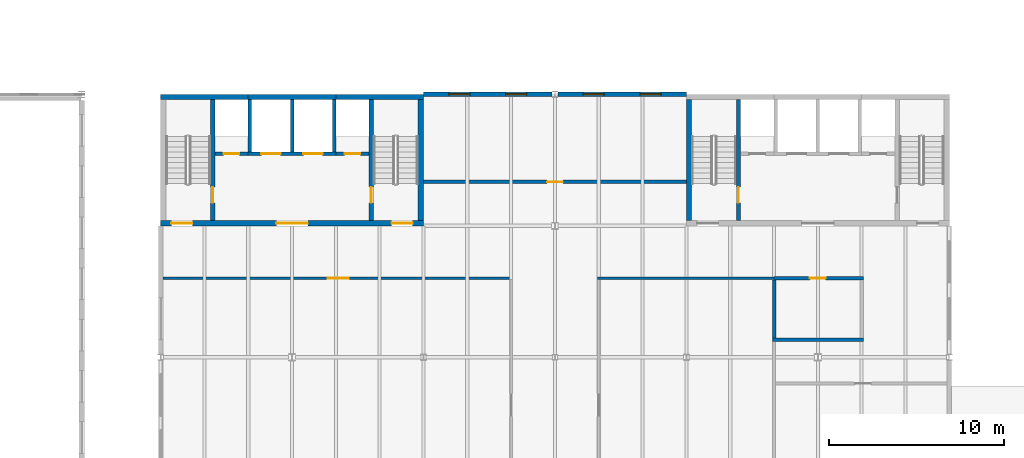
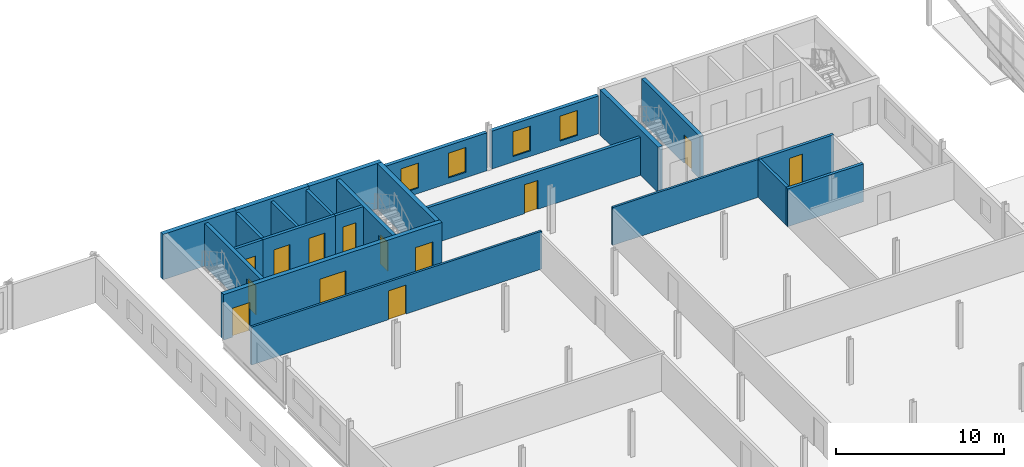
# One storey, part 54 of 199: 23 walls, 13 doors, 4 windows, 17 openings.
"""IFC4 building model written with IfcOpenShell, lengths in metres."""

import ifcopenshell
import ifcopenshell.guid

model = None  # the IFC model being written
_history = None  # IfcOwnerHistory: only IFC2X3 demands one
_inside = {}  # id of a spatial element -> (the spatial element, [elements in it])
_under = {}  # id of a project, library or spatial element -> (it, [spatial elements below it])
_declared = {}  # id of a project -> (the project, [libraries it declares])
_typed = {}  # id of a type object -> (the type object, [elements of that type])
_made_of = {}  # id of a material, layer set ... -> (it, [elements and type objects made of it])


def new_model(schema):
    """Start an empty IFC model of exactly this schema.

    Asked for "IFC4X3", IfcOpenShell would pick the latest addendum, in which some entities
    have other attributes; the version numbers below select the first issue.
    IFC2X3 requires an IfcOwnerHistory on every rooted entity: one is made here for all.
    """
    global model, _history
    if schema == "IFC4X3":
        model = ifcopenshell.file(schema_version=(4, 3, 0, 0))
    else:
        model = ifcopenshell.file(schema=schema)
    _inside.clear()
    _under.clear()
    _declared.clear()
    _typed.clear()
    _made_of.clear()
    _history = None
    if model.schema == "IFC2X3":
        org = make("IfcOrganization", Name="unknown")
        user = make(
            "IfcPersonAndOrganization",
            ThePerson=make("IfcPerson", FamilyName="unknown"),
            TheOrganization=org,
        )
        app = make(
            "IfcApplication",
            ApplicationDeveloper=org,
            Version="unknown",
            ApplicationFullName="unknown",
            ApplicationIdentifier="unknown",
        )
        _history = make(
            "IfcOwnerHistory",
            OwningUser=user,
            OwningApplication=app,
            ChangeAction="ADDED",
            CreationDate=0,
        )
    return model


def make(cls, **values):
    """One entity of the class cls with the attributes given. An attribute that is None is left unset."""
    return model.create_entity(
        cls, **{name: value for name, value in values.items() if value is not None}
    )


def rooted(cls, **values):
    """An entity with a GlobalId (a new one), such as an element, a storey or a relation."""
    return make(cls, GlobalId=ifcopenshell.guid.new(), OwnerHistory=_history, **values)


def si_unit(unit_type, name, prefix=None):
    """IfcSIUnit, for example si_unit("LENGTHUNIT", "METRE", prefix="MILLI")."""
    return make("IfcSIUnit", UnitType=unit_type, Prefix=prefix, Name=name)


def assignment(units):
    """IfcUnitAssignment: the units of a project."""
    return None if units is None else make("IfcUnitAssignment", Units=units)


def point(xyz):
    """IfcCartesianPoint."""
    return None if xyz is None else make("IfcCartesianPoint", Coordinates=xyz)


def direction(xyz):
    """IfcDirection."""
    return None if xyz is None else make("IfcDirection", DirectionRatios=xyz)


def frame(location, z_axis=None, x_axis=None):
    """IfcAxis2Placement3D, a coordinate frame: its origin and axes. An axis left out is left unset."""
    return make(
        "IfcAxis2Placement3D",
        Location=point(location),
        Axis=direction(z_axis),
        RefDirection=direction(x_axis),
    )


def frame_2d(location, x_axis=None):
    """IfcAxis2Placement2D, a coordinate frame in the plane: its origin and x axis."""
    return make(
        "IfcAxis2Placement2D", Location=point(location), RefDirection=direction(x_axis)
    )


def origin():
    """The frame at (0, 0, 0) with its axes left unset."""
    return frame((0.0, 0.0, 0.0))


def place(relative_to, where):
    """IfcLocalPlacement: puts the frame where relative to a parent placement (None: the world)."""
    return make(
        "IfcLocalPlacement", PlacementRelTo=relative_to, RelativePlacement=where
    )


def context(
    kind, dimensions, precision=None, world=None, true_north=None, identifier=None
):
    """IfcGeometricRepresentationContext, for example the 3D "Model" context."""
    return make(
        "IfcGeometricRepresentationContext",
        ContextIdentifier=identifier,
        ContextType=kind,
        CoordinateSpaceDimension=dimensions,
        Precision=precision,
        WorldCoordinateSystem=world,
        TrueNorth=true_north,
    )


def subcontext(parent, identifier, kind, view, scale=None):
    """IfcGeometricRepresentationSubContext, for example "Body" below "Model"."""
    return make(
        "IfcGeometricRepresentationSubContext",
        ContextIdentifier=identifier,
        ContextType=kind,
        ParentContext=parent,
        TargetScale=scale,
        TargetView=view,
    )


def project(units=None, contexts=None):
    """IfcProject with its units and contexts."""
    return rooted(
        "IfcProject",
        Name="project",
        RepresentationContexts=contexts,
        UnitsInContext=assignment(units),
    )


def spatial(cls, under=None, at=None, **own):
    """A site, building, storey or space (cls), placed at a placement, below another one or the project."""
    s = rooted(cls, ObjectPlacement=at, **own)
    if under is not None:
        _under.setdefault(under.id(), (under, []))[1].append(s)
    return s


def profile(cls, at=None, kind="AREA", **sizes):
    """A parametric profile (cls). Its sizes go by their IFC names, for example OverallWidth=200.0."""
    return make(cls, ProfileType=kind, Position=at, **sizes)


def rectangle(**sizes):
    """IfcRectangleProfileDef."""
    return profile("IfcRectangleProfileDef", **sizes)


def extrude(swept, where, along, depth):
    """IfcExtrudedAreaSolid: the profile swept, set in the frame where, extruded along a direction by depth."""
    return make(
        "IfcExtrudedAreaSolid",
        SweptArea=swept,
        Position=where,
        ExtrudedDirection=direction(along),
        Depth=depth,
    )


def shape(context_of_items, identifier, shape_type, items):
    """IfcShapeRepresentation: the items that make up one representation, for example the "Body"."""
    return make(
        "IfcShapeRepresentation",
        ContextOfItems=context_of_items,
        RepresentationIdentifier=identifier,
        RepresentationType=shape_type,
        Items=items,
    )


def material(Name=None, Category=None):
    """IfcMaterial."""
    return make("IfcMaterial", Name=Name, Category=Category)


def layer(
    of_material, thickness, ventilated=None, Name=None, Category=None, Priority=None
):
    """IfcMaterialLayer: one layer of a wall or slab, of a material (None: an air gap)."""
    return make(
        "IfcMaterialLayer",
        Material=of_material,
        LayerThickness=thickness,
        IsVentilated=ventilated,
        Name=Name,
        Category=Category,
        Priority=Priority,
    )


def layer_set(layers, Name=None):
    """IfcMaterialLayerSet."""
    return make("IfcMaterialLayerSet", MaterialLayers=layers, LayerSetName=Name)


def made_of(thing, what):
    """Note that an element or type object is made of a material, layer set ...; save() writes the relation."""
    if what is not None:
        _made_of.setdefault(what.id(), (what, []))[1].append(thing)
    return thing


def type_object(cls, material=None, **own):
    """A type object (cls), such as IfcWallType, which elements share."""
    return made_of(rooted(cls, **own), material)


def element(
    cls,
    number,
    at=None,
    inside=None,
    cuts=None,
    type_object=None,
    material=None,
    context=None,
    identifier="Body",
    shape_type=None,
    held_by="IfcProductDefinitionShape",
    body=None,
    shapes=None,
    **own,
):
    """One element of the class cls, such as IfcWall. Its Tag is "e" and its number.

    at: its placement. inside: the storey or other place that contains it. cuts: it is an
    opening in that element (IfcRelVoidsElement). A single representation is given by context,
    identifier, shape_type and body (its items); several are given by shapes. held_by: the class
    of the entity that holds the representations. save() writes the other relations.
    """
    e = rooted(cls, Tag="e%d" % number, ObjectPlacement=at, **own)
    if body is not None:
        shapes = [shape(context, identifier, shape_type, body)]
    if shapes is not None:
        e.Representation = make(held_by, Representations=shapes)
    if inside is not None:
        _inside.setdefault(inside.id(), (inside, []))[1].append(e)
    if cuts is not None:
        rooted(
            "IfcRelVoidsElement", RelatingBuildingElement=cuts, RelatedOpeningElement=e
        )
    if type_object is not None:
        _typed.setdefault(type_object.id(), (type_object, []))[1].append(e)
    return made_of(e, material)


def fill(opening, filler):
    """IfcRelFillsElement: the door or window that sits in an opening."""
    return rooted(
        "IfcRelFillsElement",
        RelatingOpeningElement=opening,
        RelatedBuildingElement=filler,
    )


def aggregate(whole, parts):
    """IfcRelAggregates: a whole, such as a stair, and the parts it consists of."""
    return rooted("IfcRelAggregates", RelatingObject=whole, RelatedObjects=parts)


def save(model, path):
    """Write the relations noted so far, then the file.

    IfcRelAggregates (storeys below a building ...), IfcRelContainedInSpatialStructure (elements
    in a storey), IfcRelDefinesByType, IfcRelAssociatesMaterial and IfcRelDeclares: one each for
    every whole, place, type object, material and project.
    """
    for whole, parts in _under.values():
        aggregate(whole, parts)
    for where, things in _inside.values():
        rooted(
            "IfcRelContainedInSpatialStructure",
            RelatedElements=things,
            RelatingStructure=where,
        )
    for kind, things in _typed.values():
        rooted("IfcRelDefinesByType", RelatedObjects=things, RelatingType=kind)
    for what, things in _made_of.values():
        rooted("IfcRelAssociatesMaterial", RelatedObjects=things, RelatingMaterial=what)
    for by, libraries in _declared.values():
        rooted("IfcRelDeclares", RelatingContext=by, RelatedDefinitions=libraries)
    model.write(path)


model = new_model("IFC4")

# Units and contexts
model_context = context("Model", 3, precision=1e-05, world=origin(), true_north=direction((0.0, 1.0)))
body_context = subcontext(model_context, "Body", "Model", "MODEL_VIEW")
ifc_project = project(units=[si_unit("LENGTHUNIT", "METRE"), si_unit("AREAUNIT", "SQUARE_METRE"), si_unit("VOLUMEUNIT", "CUBIC_METRE"), si_unit("PLANEANGLEUNIT", "RADIAN"), si_unit("MASSUNIT", "GRAM", prefix="KILO")], contexts=[model_context])

# Site, building, storey
site_placement = place(None, origin())
site = spatial("IfcSite", under=ifc_project, at=site_placement, CompositionType="ELEMENT")
building_placement = place(site_placement, origin())
building = spatial("IfcBuilding", under=site, at=building_placement, Name="Parallax Yard Mobility Hub", CompositionType="ELEMENT")
storey_placement = place(building_placement, frame((0.0, 0.0, 9.89990234375)))
storey = spatial("IfcBuildingStorey", under=building, at=storey_placement, Name="L03", CompositionType="ELEMENT", Elevation=9.89990234375)

# Wall, openings, doors
ifc_material_1 = material(Name="Concrete fc' 35 MPa", Category="concrete")
ifc_layer_1 = layer(ifc_material_1, 0.300048828125)
ifc_layer_set_1 = layer_set([ifc_layer_1], Name="Concrete fc' 35 MPa core wall 300")
wall_type_1 = type_object("IfcWallType", Name="Concrete fc' 35 MPa core wall 300", PredefinedType="SHEAR", material=ifc_layer_set_1)
wall_1_placement = place(storey_placement, frame((112.5, 45.14990234375, 0.0), z_axis=(0.0, 0.0, 1.0), x_axis=(-1.0, 0.0, 0.0)))
wall_1 = element("IfcWall", 1, at=wall_1_placement, inside=storey, type_object=wall_type_1, Name="Core C6-W entry wall level L03", PredefinedType="SHEAR", context=body_context, shape_type="SweptSolid", body=[
    extrude(rectangle(XDim=15.0, YDim=0.300048828125, at=frame_2d((7.5, 0.0))), origin(), (0.0, 0.0, 1.0), 3.300048828125),
])
opening_1_placement = place(wall_1_placement, frame((13.179931640625, 0.0, 0.0)))
opening_1 = element("IfcOpeningElement", 2, at=opening_1_placement, cuts=wall_1, Name="Opening L03-D733", PredefinedType="OPENING", context=body_context, shape_type="SweptSolid", body=[
    extrude(rectangle(XDim=1.199951171875, YDim=2.10009765625, at=frame_2d((0.60009765625, 1.050048828125))), frame((0.0, 0.16015625, 0.0), z_axis=(0.0, -1.0, 0.0), x_axis=(1.0, 0.0, 0.0)), (0.0, 0.0, 1.0), 0.320068359375),
])
opening_2_placement = place(wall_1_placement, frame((0.6201171875, 0.0, 0.0)))
opening_2 = element("IfcOpeningElement", 3, at=opening_2_placement, cuts=wall_1, Name="Opening L03-D734", PredefinedType="OPENING", context=body_context, shape_type="SweptSolid", body=[
    extrude(rectangle(XDim=1.199951171875, YDim=2.10009765625, at=frame_2d((0.60009765625, 1.050048828125))), frame((0.0, 0.16015625, 0.0), z_axis=(0.0, -1.0, 0.0), x_axis=(1.0, 0.0, 0.0)), (0.0, 0.0, 1.0), 0.320068359375),
])
opening_3_placement = place(wall_1_placement, frame((6.60009765625, 0.0, 0.0)))
opening_3 = element("IfcOpeningElement", 4, at=opening_3_placement, cuts=wall_1, Name="Opening L03-D735", PredefinedType="OPENING", context=body_context, shape_type="SweptSolid", body=[
    extrude(rectangle(XDim=1.800048828125, YDim=2.10009765625, at=frame_2d((0.89990234375, 1.050048828125))), frame((0.0, 0.16015625, 0.0), z_axis=(0.0, -1.0, 0.0), x_axis=(1.0, 0.0, 0.0)), (0.0, 0.0, 1.0), 0.320068359375),
])
ifc_material_2 = material(Name="Hollow metal steel door and frame", Category="steel")
door_type_1 = type_object("IfcDoorType", Name="Core door 1200 x 2100 FD90", OperationType="NOTDEFINED", PredefinedType="DOOR", material=ifc_material_2)
door_1_placement = place(opening_1_placement, origin())
door_1 = element("IfcDoor", 5, at=door_1_placement, inside=storey, type_object=door_type_1, Name="Stair deck door L03-D733, core C6-W level L03", OperationType="SINGLE_SWING_RIGHT", OverallHeight=2.10009765625, OverallWidth=1.199951171875, PredefinedType="DOOR", context=body_context, shape_type="SweptSolid", body=[
    extrude(rectangle(XDim=1.199951171875, YDim=2.10009765625, at=frame_2d((0.60009765625, 1.050048828125))), frame((0.0, 0.02490234375, 0.0), z_axis=(0.0, -1.0, 0.0), x_axis=(1.0, 0.0, 0.0)), (0.0, 0.0, 1.0), 0.050048828125),
])
fill(opening_1, door_1)
door_2_placement = place(opening_2_placement, origin())
door_2 = element("IfcDoor", 6, at=door_2_placement, inside=storey, type_object=door_type_1, Name="Stair deck door L03-D734, core C6-W level L03", OperationType="SINGLE_SWING_LEFT", OverallHeight=2.10009765625, OverallWidth=1.199951171875, PredefinedType="DOOR", context=body_context, shape_type="SweptSolid", body=[
    extrude(rectangle(XDim=1.199951171875, YDim=2.10009765625, at=frame_2d((0.60009765625, 1.050048828125))), frame((0.0, 0.02490234375, 0.0), z_axis=(0.0, -1.0, 0.0), x_axis=(1.0, 0.0, 0.0)), (0.0, 0.0, 1.0), 0.050048828125),
])
fill(opening_2, door_2)
door_type_2 = type_object("IfcDoorType", Name="Core double door 1800 x 2100 FD90", OperationType="NOTDEFINED", PredefinedType="DOOR", material=ifc_material_2)
door_3_placement = place(opening_3_placement, origin())
door_3 = element("IfcDoor", 7, at=door_3_placement, inside=storey, type_object=door_type_2, Name="Lift lobby door L03-D735, core C6-W level L03", OperationType="DOUBLE_DOOR_SINGLE_SWING", OverallHeight=2.10009765625, OverallWidth=1.800048828125, PredefinedType="DOOR", context=body_context, shape_type="SweptSolid", body=[
    extrude(rectangle(XDim=1.800048828125, YDim=2.10009765625, at=frame_2d((0.89990234375, 1.050048828125))), frame((0.0, 0.02490234375, 0.0), z_axis=(0.0, -1.0, 0.0), x_axis=(1.0, 0.0, 0.0)), (0.0, 0.0, 1.0), 0.050048828125),
])
fill(opening_3, door_3)

# Walls
for number, where, z_axis, x_axis, name in (
    (8, (97.5, 52.35009765625, 0.0), (0.0, 0.0, 1.0), (1.0, 0.0, 0.0), "Core C6-W back wall part 1 level L03"),
    (9, (102.5, 52.35009765625, 0.0), (0.0, 0.0, 1.0), (1.0, 0.0, 0.0), "Core C6-W back wall part 2 level L03"),
    (10, (107.5, 52.35009765625, 0.0), (0.0, 0.0, 1.0), (1.0, 0.0, 0.0), "Core C6-W back wall part 3 level L03"),
):
    element("IfcWall", number, at=place(storey_placement, frame(where, z_axis=z_axis, x_axis=x_axis)), inside=storey, type_object=wall_type_1, Name=name, PredefinedType="SHEAR", context=body_context, shape_type="SweptSolid", body=[
        extrude(rectangle(XDim=5.0, YDim=0.300048828125, at=frame_2d((2.5, 0.0))), origin(), (0.0, 0.0, 1.0), 3.300048828125),
    ])
for number, where, z_axis, x_axis, name in (
    (11, (112.35009765625, 52.199951171875, 0.0), (0.0, 0.0, 1.0), (0.0, -1.0, 0.0), "Core C6-W east-side end wall level L03"),
    (12, (127.64990234375, 45.300048828125, 0.0), (0.0, 0.0, 1.0), (0.0, 1.0, 0.0), "Core C6-E west-side end wall level L03"),
):
    element("IfcWall", number, at=place(storey_placement, frame(where, z_axis=z_axis, x_axis=x_axis)), inside=storey, type_object=wall_type_1, Name=name, PredefinedType="SHEAR", context=body_context, shape_type="SweptSolid", body=[
        extrude(rectangle(XDim=6.89990234375, YDim=0.300048828125, at=frame_2d((3.449951171875, 0.0))), origin(), (0.0, 0.0, 1.0), 3.300048828125),
    ])

# Wall, opening, door
ifc_layer_2 = layer(ifc_material_1, 0.199951171875)
ifc_layer_set_2 = layer_set([ifc_layer_2], Name="Concrete fc' 35 MPa internal core wall 200")
wall_type_2 = type_object("IfcWallType", Name="Concrete fc' 35 MPa internal core wall 200", PredefinedType="STANDARD", material=ifc_layer_set_2)
wall_2_placement = place(storey_placement, frame((102.5, 49.10009765625, 0.0), z_axis=(0.0, 0.0, 1.0), x_axis=(-1.0, 0.0, 0.0)))
wall_2 = element("IfcWall", 13, at=wall_2_placement, inside=storey, type_object=wall_type_2, Name="Core C6-W lift front 1 part 1 level L03", PredefinedType="STANDARD", context=body_context, shape_type="SweptSolid", body=[
    extrude(rectangle(XDim=1.89990234375, YDim=0.199951171875, at=frame_2d((0.949951171875, 0.0))), origin(), (0.0, 0.0, 1.0), 3.10009765625),
])
opening_4_placement = place(wall_2_placement, frame((0.5, 0.0, 0.0)))
opening_4 = element("IfcOpeningElement", 14, at=opening_4_placement, cuts=wall_2, Name="Opening L03-D740", PredefinedType="OPENING", context=body_context, shape_type="SweptSolid", body=[
    extrude(rectangle(XDim=0.89990234375, YDim=2.10009765625, at=frame_2d((0.449951171875, 1.050048828125))), frame((0.0, 0.10986328125, 0.0), z_axis=(0.0, -1.0, 0.0), x_axis=(1.0, 0.0, 0.0)), (0.0, 0.0, 1.0), 0.219970703125),
])
door_type_3 = type_object("IfcDoorType", Name="Riser door 900 x 2100 FD90", OperationType="NOTDEFINED", PredefinedType="DOOR", material=ifc_material_2)
door_4_placement = place(opening_4_placement, origin())
door_4 = element("IfcDoor", 15, at=door_4_placement, inside=storey, type_object=door_type_3, Name="Riser door L03-D740, core C6-W level L03", OperationType="SINGLE_SWING_RIGHT", OverallHeight=2.10009765625, OverallWidth=0.89990234375, PredefinedType="DOOR", context=body_context, shape_type="SweptSolid", body=[
    extrude(rectangle(XDim=0.89990234375, YDim=2.10009765625, at=frame_2d((0.449951171875, 1.050048828125))), frame((0.0, 0.02490234375, 0.0), z_axis=(0.0, -1.0, 0.0), x_axis=(1.0, 0.0, 0.0)), (0.0, 0.0, 1.0), 0.050048828125),
])
fill(opening_4, door_4)

# Wall, openings, doors
wall_3_placement = place(storey_placement, frame((102.5, 49.10009765625, 0.0), z_axis=(0.0, 0.0, 1.0), x_axis=(1.0, 0.0, 0.0)))
wall_3 = element("IfcWall", 16, at=wall_3_placement, inside=storey, type_object=wall_type_2, Name="Core C6-W lift front 2 part 2 level L03", PredefinedType="STANDARD", context=body_context, shape_type="SweptSolid", body=[
    extrude(rectangle(XDim=5.0, YDim=0.199951171875, at=frame_2d((2.5, 0.0))), origin(), (0.0, 0.0, 1.0), 3.10009765625),
])
opening_5_placement = place(wall_3_placement, frame((0.75, 0.0, 0.0)))
opening_5 = element("IfcOpeningElement", 17, at=opening_5_placement, cuts=wall_3, Name="Opening L03-D738", PredefinedType="OPENING", context=body_context, shape_type="SweptSolid", body=[
    extrude(rectangle(XDim=1.10009765625, YDim=2.10009765625, at=frame_2d((0.550048828125, 1.050048828125))), frame((0.0, 0.10986328125, 0.0), z_axis=(0.0, -1.0, 0.0), x_axis=(1.0, 0.0, 0.0)), (0.0, 0.0, 1.0), 0.219970703125),
])
opening_6_placement = place(wall_3_placement, frame((3.14990234375, 0.0, 0.0)))
opening_6 = element("IfcOpeningElement", 18, at=opening_6_placement, cuts=wall_3, Name="Opening L03-D739", PredefinedType="OPENING", context=body_context, shape_type="SweptSolid", body=[
    extrude(rectangle(XDim=1.10009765625, YDim=2.10009765625, at=frame_2d((0.550048828125, 1.050048828125))), frame((0.0, 0.10986328125, 0.0), z_axis=(0.0, -1.0, 0.0), x_axis=(1.0, 0.0, 0.0)), (0.0, 0.0, 1.0), 0.219970703125),
])
ifc_material_3 = material(Name="Stainless steel sliding door and frame", Category="steel")
door_type_4 = type_object("IfcDoorType", Name="Lift landing door 1100 x 2100 FD90", OperationType="DOUBLE_DOOR_SLIDING", PredefinedType="DOOR", material=ifc_material_3)
door_5_placement = place(opening_5_placement, origin())
door_5 = element("IfcDoor", 19, at=door_5_placement, inside=storey, type_object=door_type_4, Name="Lift landing door L03-D738, core C6-W level L03", OperationType="DOUBLE_DOOR_SLIDING", OverallHeight=2.10009765625, OverallWidth=1.10009765625, PredefinedType="DOOR", context=body_context, shape_type="SweptSolid", body=[
    extrude(rectangle(XDim=1.10009765625, YDim=2.10009765625, at=frame_2d((0.550048828125, 1.050048828125))), frame((0.0, 0.02490234375, 0.0), z_axis=(0.0, -1.0, 0.0), x_axis=(1.0, 0.0, 0.0)), (0.0, 0.0, 1.0), 0.050048828125),
])
fill(opening_5, door_5)
door_6_placement = place(opening_6_placement, origin())
door_6 = element("IfcDoor", 20, at=door_6_placement, inside=storey, type_object=door_type_4, Name="Lift landing door L03-D739, core C6-W level L03", OperationType="DOUBLE_DOOR_SLIDING", OverallHeight=2.10009765625, OverallWidth=1.10009765625, PredefinedType="DOOR", context=body_context, shape_type="SweptSolid", body=[
    extrude(rectangle(XDim=1.10009765625, YDim=2.10009765625, at=frame_2d((0.550048828125, 1.050048828125))), frame((0.0, 0.02490234375, 0.0), z_axis=(0.0, -1.0, 0.0), x_axis=(1.0, 0.0, 0.0)), (0.0, 0.0, 1.0), 0.050048828125),
])
fill(opening_6, door_6)

# Wall, opening, door
wall_4_placement = place(storey_placement, frame((109.39990234375, 49.10009765625, 0.0), z_axis=(0.0, 0.0, 1.0), x_axis=(-1.0, 0.0, 0.0)))
wall_4 = element("IfcWall", 21, at=wall_4_placement, inside=storey, type_object=wall_type_2, Name="Core C6-W lift front 3 part 3 level L03", PredefinedType="STANDARD", context=body_context, shape_type="SweptSolid", body=[
    extrude(rectangle(XDim=1.89990234375, YDim=0.199951171875, at=frame_2d((0.949951171875, 0.0))), origin(), (0.0, 0.0, 1.0), 3.10009765625),
])
opening_7_placement = place(wall_4_placement, frame((0.5, 0.0, 0.0)))
opening_7 = element("IfcOpeningElement", 22, at=opening_7_placement, cuts=wall_4, Name="Opening L03-D741", PredefinedType="OPENING", context=body_context, shape_type="SweptSolid", body=[
    extrude(rectangle(XDim=0.89990234375, YDim=2.10009765625, at=frame_2d((0.449951171875, 1.050048828125))), frame((0.0, 0.10986328125, 0.0), z_axis=(0.0, -1.0, 0.0), x_axis=(1.0, 0.0, 0.0)), (0.0, 0.0, 1.0), 0.219970703125),
])
door_7_placement = place(opening_7_placement, origin())
door_7 = element("IfcDoor", 23, at=door_7_placement, inside=storey, type_object=door_type_3, Name="Riser door L03-D741, core C6-W level L03", OperationType="SINGLE_SWING_LEFT", OverallHeight=2.10009765625, OverallWidth=0.89990234375, PredefinedType="DOOR", context=body_context, shape_type="SweptSolid", body=[
    extrude(rectangle(XDim=0.89990234375, YDim=2.10009765625, at=frame_2d((0.449951171875, 1.050048828125))), frame((0.0, 0.02490234375, 0.0), z_axis=(0.0, -1.0, 0.0), x_axis=(1.0, 0.0, 0.0)), (0.0, 0.0, 1.0), 0.050048828125),
])
fill(opening_7, door_7)

# Walls
for number, where, z_axis, x_axis, name in (
    (24, (102.60009765625, 49.199951171875, 0.0), (0.0, 0.0, 1.0), (0.0, 1.0, 0.0), "Core C6-W lift wall 1 part 1 level L03"),
    (25, (105.0, 49.199951171875, 0.0), (0.0, 0.0, 1.0), (0.0, 1.0, 0.0), "Core C6-W lift wall 2 part 2 level L03"),
    (26, (107.39990234375, 49.199951171875, 0.0), (0.0, 0.0, 1.0), (0.0, 1.0, 0.0), "Core C6-W lift wall 3 part 3 level L03"),
):
    element("IfcWall", number, at=place(storey_placement, frame(where, z_axis=z_axis, x_axis=x_axis)), inside=storey, type_object=wall_type_2, Name=name, PredefinedType="STANDARD", context=body_context, shape_type="SweptSolid", body=[
        extrude(rectangle(XDim=3.0, YDim=0.199951171875, at=frame_2d((1.5, 0.0))), origin(), (0.0, 0.0, 1.0), 3.10009765625),
    ])

# Wall, opening, door
ifc_layer_3 = layer(ifc_material_1, 0.25)
ifc_layer_set_3 = layer_set([ifc_layer_3], Name="Concrete fc' 35 MPa stair enclosure wall 250")
wall_type_3 = type_object("IfcWallType", Name="Concrete fc' 35 MPa stair enclosure wall 250", PredefinedType="STANDARD", material=ifc_layer_set_3)
wall_5_placement = place(storey_placement, frame((100.47509765625, 45.300048828125, 0.0), z_axis=(0.0, 0.0, 1.0), x_axis=(0.0, 1.0, 0.0)))
wall_5 = element("IfcWall", 27, at=wall_5_placement, inside=storey, type_object=wall_type_3, Name="Core C6-W stair 1 partition level L03", PredefinedType="STANDARD", context=body_context, shape_type="SweptSolid", body=[
    extrude(rectangle(XDim=6.89990234375, YDim=0.25, at=frame_2d((3.449951171875, 0.0))), origin(), (0.0, 0.0, 1.0), 3.10009765625),
])
opening_8_placement = place(wall_5_placement, frame((1.0, 0.0, 0.0)))
opening_8 = element("IfcOpeningElement", 28, at=opening_8_placement, cuts=wall_5, Name="Opening L03-D736", PredefinedType="OPENING", context=body_context, shape_type="SweptSolid", body=[
    extrude(rectangle(XDim=0.89990234375, YDim=2.10009765625, at=frame_2d((0.449951171875, 1.050048828125))), frame((0.0, 0.135009765625, 0.0), z_axis=(0.0, -1.0, 0.0), x_axis=(1.0, 0.0, 0.0)), (0.0, 0.0, 1.0), 0.27001953125),
])
door_type_5 = type_object("IfcDoorType", Name="Core door 900 x 2100 FD90", OperationType="NOTDEFINED", PredefinedType="DOOR", material=ifc_material_2)
door_8_placement = place(opening_8_placement, origin())
door_8 = element("IfcDoor", 29, at=door_8_placement, inside=storey, type_object=door_type_5, Name="Stair lobby door L03-D736, core C6-W level L03", OperationType="SINGLE_SWING_LEFT", OverallHeight=2.10009765625, OverallWidth=0.89990234375, PredefinedType="DOOR", context=body_context, shape_type="SweptSolid", body=[
    extrude(rectangle(XDim=0.89990234375, YDim=2.10009765625, at=frame_2d((0.449951171875, 1.050048828125))), frame((0.0, 0.02490234375, 0.0), z_axis=(0.0, -1.0, 0.0), x_axis=(1.0, 0.0, 0.0)), (0.0, 0.0, 1.0), 0.050048828125),
])
fill(opening_8, door_8)

wall_6_placement = place(storey_placement, frame((109.52490234375, 52.199951171875, 0.0), z_axis=(0.0, 0.0, 1.0), x_axis=(0.0, -1.0, 0.0)))
wall_6 = element("IfcWall", 30, at=wall_6_placement, inside=storey, type_object=wall_type_3, Name="Core C6-W stair 2 partition level L03", PredefinedType="STANDARD", context=body_context, shape_type="SweptSolid", body=[
    extrude(rectangle(XDim=6.89990234375, YDim=0.25, at=frame_2d((3.449951171875, 0.0))), origin(), (0.0, 0.0, 1.0), 3.10009765625),
])
opening_9_placement = place(wall_6_placement, frame((5.0, 0.0, 0.0)))
opening_9 = element("IfcOpeningElement", 31, at=opening_9_placement, cuts=wall_6, Name="Opening L03-D737", PredefinedType="OPENING", context=body_context, shape_type="SweptSolid", body=[
    extrude(rectangle(XDim=0.89990234375, YDim=2.10009765625, at=frame_2d((0.449951171875, 1.050048828125))), frame((0.0, 0.135009765625, 0.0), z_axis=(0.0, -1.0, 0.0), x_axis=(1.0, 0.0, 0.0)), (0.0, 0.0, 1.0), 0.27001953125),
])
door_9_placement = place(opening_9_placement, origin())
door_9 = element("IfcDoor", 32, at=door_9_placement, inside=storey, type_object=door_type_5, Name="Stair lobby door L03-D737, core C6-W level L03", OperationType="SINGLE_SWING_RIGHT", OverallHeight=2.10009765625, OverallWidth=0.89990234375, PredefinedType="DOOR", context=body_context, shape_type="SweptSolid", body=[
    extrude(rectangle(XDim=0.89990234375, YDim=2.10009765625, at=frame_2d((0.449951171875, 1.050048828125))), frame((0.0, 0.02490234375, 0.0), z_axis=(0.0, -1.0, 0.0), x_axis=(1.0, 0.0, 0.0)), (0.0, 0.0, 1.0), 0.050048828125),
])
fill(opening_9, door_9)

wall_7_placement = place(storey_placement, frame((130.47509765625, 45.300048828125, 0.0), z_axis=(0.0, 0.0, 1.0), x_axis=(0.0, 1.0, 0.0)))
wall_7 = element("IfcWall", 33, at=wall_7_placement, inside=storey, type_object=wall_type_3, Name="Core C6-E stair 1 partition level L03", PredefinedType="STANDARD", context=body_context, shape_type="SweptSolid", body=[
    extrude(rectangle(XDim=6.89990234375, YDim=0.25, at=frame_2d((3.449951171875, 0.0))), origin(), (0.0, 0.0, 1.0), 3.10009765625),
])
opening_10_placement = place(wall_7_placement, frame((1.0, 0.0, 0.0)))
opening_10 = element("IfcOpeningElement", 34, at=opening_10_placement, cuts=wall_7, Name="Opening L03-D745", PredefinedType="OPENING", context=body_context, shape_type="SweptSolid", body=[
    extrude(rectangle(XDim=0.89990234375, YDim=2.10009765625, at=frame_2d((0.449951171875, 1.050048828125))), frame((0.0, 0.135009765625, 0.0), z_axis=(0.0, -1.0, 0.0), x_axis=(1.0, 0.0, 0.0)), (0.0, 0.0, 1.0), 0.27001953125),
])
door_10_placement = place(opening_10_placement, origin())
door_10 = element("IfcDoor", 35, at=door_10_placement, inside=storey, type_object=door_type_5, Name="Stair lobby door L03-D745, core C6-E level L03", OperationType="SINGLE_SWING_LEFT", OverallHeight=2.10009765625, OverallWidth=0.89990234375, PredefinedType="DOOR", context=body_context, shape_type="SweptSolid", body=[
    extrude(rectangle(XDim=0.89990234375, YDim=2.10009765625, at=frame_2d((0.449951171875, 1.050048828125))), frame((0.0, 0.02490234375, 0.0), z_axis=(0.0, -1.0, 0.0), x_axis=(1.0, 0.0, 0.0)), (0.0, 0.0, 1.0), 0.050048828125),
])
fill(opening_10, door_10)

# Wall, openings, windows
ifc_layer_4 = layer(ifc_material_1, 0.25)
ifc_layer_set_4 = layer_set([ifc_layer_4], Name="Exterior wall, Concrete fc' 35 MPa precast, 250 with insulation lining")
wall_type_4 = type_object("IfcWallType", Name="Exterior wall, Concrete fc' 35 MPa precast, 250 with insulation lining", PredefinedType="SOLIDWALL", material=ifc_layer_set_4)
wall_8_placement = place(storey_placement, frame((112.5, 52.5, 0.0), z_axis=(0.0, 0.0, 1.0), x_axis=(1.0, 0.0, 0.0)))
wall_8 = element("IfcWall", 36, at=wall_8_placement, inside=storey, type_object=wall_type_4, Name="Mobility service centre and workshops north wall bay 1 level L03", PredefinedType="SOLIDWALL", context=body_context, shape_type="SweptSolid", body=[
    extrude(rectangle(XDim=7.3359375, YDim=0.25, at=frame_2d((3.66796875, 0.0))), origin(), (0.0, 0.0, 1.0), 2.7509765625),
])
opening_11_placement = place(wall_8_placement, frame((1.4453125, 0.0, 0.39990234375)))
opening_11 = element("IfcOpeningElement", 37, at=opening_11_placement, cuts=wall_8, Name="Opening LV7", PredefinedType="OPENING", context=body_context, shape_type="SweptSolid", body=[
    extrude(rectangle(XDim=1.199951171875, YDim=1.800048828125, at=frame_2d((0.60009765625, 0.89990234375))), frame((0.0, 0.135009765625, 0.0), z_axis=(0.0, -1.0, 0.0), x_axis=(1.0, 0.0, 0.0)), (0.0, 0.0, 1.0), 0.27001953125),
])
opening_12_placement = place(wall_8_placement, frame((4.690673828125, 0.0, 0.39990234375)))
opening_12 = element("IfcOpeningElement", 38, at=opening_12_placement, cuts=wall_8, Name="Opening LV7", PredefinedType="OPENING", context=body_context, shape_type="SweptSolid", body=[
    extrude(rectangle(XDim=1.199951171875, YDim=1.800048828125, at=frame_2d((0.60009765625, 0.89990234375))), frame((0.0, 0.135009765625, 0.0), z_axis=(0.0, -1.0, 0.0), x_axis=(1.0, 0.0, 0.0)), (0.0, 0.0, 1.0), 0.27001953125),
])
ifc_material_4 = material(Name="Extruded aluminium storm louvre blades in a powder-coated frame", Category="aluminium")
window_type = type_object("IfcWindowType", Name="Store louvre 1200 x 1800", PartitioningType="SINGLE_PANEL", PredefinedType="WINDOW", material=ifc_material_4)
window_1_placement = place(opening_11_placement, origin())
window_1 = element("IfcWindow", 39, at=window_1_placement, inside=storey, type_object=window_type, Name="LV7 louvre level L03", OverallHeight=1.800048828125, OverallWidth=1.199951171875, PartitioningType="SINGLE_PANEL", PredefinedType="WINDOW", context=body_context, shape_type="SweptSolid", body=[
    extrude(rectangle(XDim=1.199951171875, YDim=1.800048828125, at=frame_2d((0.60009765625, 0.89990234375))), frame((0.0, 0.030029296875, 0.0), z_axis=(0.0, -1.0, 0.0), x_axis=(1.0, 0.0, 0.0)), (0.0, 0.0, 1.0), 0.06005859375),
])
fill(opening_11, window_1)
window_2_placement = place(opening_12_placement, origin())
window_2 = element("IfcWindow", 40, at=window_2_placement, inside=storey, type_object=window_type, Name="LV7 louvre level L03", OverallHeight=1.800048828125, OverallWidth=1.199951171875, PartitioningType="SINGLE_PANEL", PredefinedType="WINDOW", context=body_context, shape_type="SweptSolid", body=[
    extrude(rectangle(XDim=1.199951171875, YDim=1.800048828125, at=frame_2d((0.60009765625, 0.89990234375))), frame((0.0, 0.030029296875, 0.0), z_axis=(0.0, -1.0, 0.0), x_axis=(1.0, 0.0, 0.0)), (0.0, 0.0, 1.0), 0.06005859375),
])
fill(opening_12, window_2)

wall_9_placement = place(storey_placement, frame((120.1640625, 52.5, 0.0), z_axis=(0.0, 0.0, 1.0), x_axis=(1.0, 0.0, 0.0)))
wall_9 = element("IfcWall", 41, at=wall_9_placement, inside=storey, type_object=wall_type_4, Name="Mobility service centre and workshops north wall bay 2 level L03", PredefinedType="SOLIDWALL", context=body_context, shape_type="SweptSolid", body=[
    extrude(rectangle(XDim=7.3359375, YDim=0.25, at=frame_2d((3.66796875, 0.0))), origin(), (0.0, 0.0, 1.0), 2.7509765625),
])
opening_13_placement = place(wall_9_placement, frame((1.4453125, 0.0, 0.39990234375)))
opening_13 = element("IfcOpeningElement", 42, at=opening_13_placement, cuts=wall_9, Name="Opening LV7", PredefinedType="OPENING", context=body_context, shape_type="SweptSolid", body=[
    extrude(rectangle(XDim=1.199951171875, YDim=1.800048828125, at=frame_2d((0.60009765625, 0.89990234375))), frame((0.0, 0.135009765625, 0.0), z_axis=(0.0, -1.0, 0.0), x_axis=(1.0, 0.0, 0.0)), (0.0, 0.0, 1.0), 0.27001953125),
])
opening_14_placement = place(wall_9_placement, frame((4.690673828125, 0.0, 0.39990234375)))
opening_14 = element("IfcOpeningElement", 43, at=opening_14_placement, cuts=wall_9, Name="Opening LV7", PredefinedType="OPENING", context=body_context, shape_type="SweptSolid", body=[
    extrude(rectangle(XDim=1.199951171875, YDim=1.800048828125, at=frame_2d((0.60009765625, 0.89990234375))), frame((0.0, 0.135009765625, 0.0), z_axis=(0.0, -1.0, 0.0), x_axis=(1.0, 0.0, 0.0)), (0.0, 0.0, 1.0), 0.27001953125),
])
window_3_placement = place(opening_13_placement, origin())
window_3 = element("IfcWindow", 44, at=window_3_placement, inside=storey, type_object=window_type, Name="LV7 louvre level L03", OverallHeight=1.800048828125, OverallWidth=1.199951171875, PartitioningType="SINGLE_PANEL", PredefinedType="WINDOW", context=body_context, shape_type="SweptSolid", body=[
    extrude(rectangle(XDim=1.199951171875, YDim=1.800048828125, at=frame_2d((0.60009765625, 0.89990234375))), frame((0.0, 0.030029296875, 0.0), z_axis=(0.0, -1.0, 0.0), x_axis=(1.0, 0.0, 0.0)), (0.0, 0.0, 1.0), 0.06005859375),
])
fill(opening_13, window_3)
window_4_placement = place(opening_14_placement, origin())
window_4 = element("IfcWindow", 45, at=window_4_placement, inside=storey, type_object=window_type, Name="LV7 louvre level L03", OverallHeight=1.800048828125, OverallWidth=1.199951171875, PartitioningType="SINGLE_PANEL", PredefinedType="WINDOW", context=body_context, shape_type="SweptSolid", body=[
    extrude(rectangle(XDim=1.199951171875, YDim=1.800048828125, at=frame_2d((0.60009765625, 0.89990234375))), frame((0.0, 0.030029296875, 0.0), z_axis=(0.0, -1.0, 0.0), x_axis=(1.0, 0.0, 0.0)), (0.0, 0.0, 1.0), 0.06005859375),
])
fill(opening_14, window_4)

# Wall
ifc_material_5 = material(Name="Fire-rated plasterboard partition, two layers each side")
ifc_layer_5 = layer(ifc_material_5, 0.199951171875)
ifc_layer_set_5 = layer_set([ifc_layer_5], Name="Fire-rated partition 200 mm")
wall_type_5 = type_object("IfcWallType", Name="Fire-rated partition 200 mm", PredefinedType="PARTITIONING", material=ifc_layer_set_5)
wall_10_placement = place(storey_placement, frame((132.39990234375, 38.5, 0.0), z_axis=(0.0, 0.0, 1.0), x_axis=(1.0, 0.0, 0.0)))
element("IfcWall", 46, at=wall_10_placement, inside=storey, type_object=wall_type_5, Name="Partition 5 level L03", PredefinedType="PARTITIONING", context=body_context, shape_type="SweptSolid", body=[
    extrude(rectangle(XDim=5.2001953125, YDim=0.199951171875, at=frame_2d((2.60009765625, 0.0))), origin(), (0.0, 0.0, 1.0), 2.7509765625),
])

# Wall, opening, door
wall_11_placement = place(storey_placement, frame((132.5, 42.0, 0.0), z_axis=(0.0, 0.0, 1.0), x_axis=(1.0, 0.0, 0.0)))
wall_11 = element("IfcWall", 47, at=wall_11_placement, inside=storey, type_object=wall_type_5, Name="Partition 9 level L03", PredefinedType="PARTITIONING", context=body_context, shape_type="SweptSolid", body=[
    extrude(rectangle(XDim=5.10009765625, YDim=0.199951171875, at=frame_2d((2.550048828125, 0.0))), origin(), (0.0, 0.0, 1.0), 2.7509765625),
])
opening_15_placement = place(wall_11_placement, frame((2.050048828125, 0.0, 0.0)))
opening_15 = element("IfcOpeningElement", 48, at=opening_15_placement, cuts=wall_11, Name="Opening L03-D207", PredefinedType="OPENING", context=body_context, shape_type="SweptSolid", body=[
    extrude(rectangle(XDim=0.89990234375, YDim=2.10009765625, at=frame_2d((0.449951171875, 1.050048828125))), frame((0.0, 0.10986328125, 0.0), z_axis=(0.0, -1.0, 0.0), x_axis=(1.0, 0.0, 0.0)), (0.0, 0.0, 1.0), 0.219970703125),
])
ifc_material_6 = material(Name="Hollow metal fire door leaf with intumescent seals")
door_type_6 = type_object("IfcDoorType", Name="Fire door 900 mm FD60", OperationType="NOTDEFINED", PredefinedType="DOOR", material=ifc_material_6)
door_11_placement = place(opening_15_placement, origin())
door_11 = element("IfcDoor", 49, at=door_11_placement, inside=storey, type_object=door_type_6, Name="Door L03-D207 Staff WC", OperationType="SINGLE_SWING_LEFT", OverallHeight=2.10009765625, OverallWidth=0.89990234375, PredefinedType="DOOR", context=body_context, shape_type="SweptSolid", body=[
    extrude(rectangle(XDim=0.89990234375, YDim=2.10009765625, at=frame_2d((0.449951171875, 1.050048828125))), frame((0.0, 0.02490234375, 0.0), z_axis=(0.0, -1.0, 0.0), x_axis=(1.0, 0.0, 0.0)), (0.0, 0.0, 1.0), 0.050048828125),
])
fill(opening_15, door_11)

wall_12_placement = place(storey_placement, frame((112.5, 47.5, 0.0), z_axis=(0.0, 0.0, 1.0), x_axis=(1.0, 0.0, 0.0)))
wall_12 = element("IfcWall", 50, at=wall_12_placement, inside=storey, type_object=wall_type_5, Name="Partition 10 level L03", PredefinedType="PARTITIONING", context=body_context, shape_type="SweptSolid", body=[
    extrude(rectangle(XDim=15.0, YDim=0.199951171875, at=frame_2d((7.5, 0.0))), origin(), (0.0, 0.0, 1.0), 2.7509765625),
])
opening_16_placement = place(wall_12_placement, frame((7.050048828125, 0.0, 0.0)))
opening_16 = element("IfcOpeningElement", 51, at=opening_16_placement, cuts=wall_12, Name="Opening L03-D208", PredefinedType="OPENING", context=body_context, shape_type="SweptSolid", body=[
    extrude(rectangle(XDim=0.89990234375, YDim=2.10009765625, at=frame_2d((0.449951171875, 1.050048828125))), frame((0.0, 0.10986328125, 0.0), z_axis=(0.0, -1.0, 0.0), x_axis=(1.0, 0.0, 0.0)), (0.0, 0.0, 1.0), 0.219970703125),
])
door_12_placement = place(opening_16_placement, origin())
door_12 = element("IfcDoor", 52, at=door_12_placement, inside=storey, type_object=door_type_6, Name="Door L03-D208 Archive Store", OperationType="SINGLE_SWING_RIGHT", OverallHeight=2.10009765625, OverallWidth=0.89990234375, PredefinedType="DOOR", context=body_context, shape_type="SweptSolid", body=[
    extrude(rectangle(XDim=0.89990234375, YDim=2.10009765625, at=frame_2d((0.449951171875, 1.050048828125))), frame((0.0, 0.02490234375, 0.0), z_axis=(0.0, -1.0, 0.0), x_axis=(1.0, 0.0, 0.0)), (0.0, 0.0, 1.0), 0.050048828125),
])
fill(opening_16, door_12)

# Wall
wall_13_placement = place(storey_placement, frame((132.5, 38.60009765625, 0.0), z_axis=(0.0, 0.0, 1.0), x_axis=(0.0, 1.0, 0.0)))
element("IfcWall", 53, at=wall_13_placement, inside=storey, type_object=wall_type_5, Name="Partition 34 level L03", PredefinedType="PARTITIONING", context=body_context, shape_type="SweptSolid", body=[
    extrude(rectangle(XDim=3.2998046875, YDim=0.199951171875, at=frame_2d((1.64990234375, 0.0))), origin(), (0.0, 0.0, 1.0), 2.754150390625),
])

# Wall, opening, door
ifc_material_7 = material(Name="Plasterboard partition on light framing")
ifc_layer_6 = layer(ifc_material_7, 0.14990234375)
ifc_layer_set_6 = layer_set([ifc_layer_6], Name="Partition 150 mm")
wall_type_6 = type_object("IfcWallType", Name="Partition 150 mm", PredefinedType="PARTITIONING", material=ifc_layer_set_6)
wall_14_placement = place(storey_placement, frame((97.625, 42.0, 0.0), z_axis=(0.0, 0.0, 1.0), x_axis=(1.0, 0.0, 0.0)))
wall_14 = element("IfcWall", 54, at=wall_14_placement, inside=storey, type_object=wall_type_6, Name="Partition 7 level L03", PredefinedType="PARTITIONING", context=body_context, shape_type="SweptSolid", body=[
    extrude(rectangle(XDim=19.949951171875, YDim=0.14990234375, at=frame_2d((9.97509765625, 0.0))), origin(), (0.0, 0.0, 1.0), 2.7509765625),
])
opening_17_placement = place(wall_14_placement, frame((9.425048828125, 0.0, 0.0)))
opening_17 = element("IfcOpeningElement", 55, at=opening_17_placement, cuts=wall_14, Name="Opening L03-D206", PredefinedType="OPENING", context=body_context, shape_type="SweptSolid", body=[
    extrude(rectangle(XDim=1.199951171875, YDim=2.10009765625, at=frame_2d((0.60009765625, 1.050048828125))), frame((0.0, 0.0849609375, 0.0), z_axis=(0.0, -1.0, 0.0), x_axis=(1.0, 0.0, 0.0)), (0.0, 0.0, 1.0), 0.169921875),
])
ifc_material_8 = material(Name="Solid timber door leaf", Category="wood")
door_type_7 = type_object("IfcDoorType", Name="Interior door 1200 mm", OperationType="DOUBLE_DOOR_SINGLE_SWING", PredefinedType="DOOR", material=ifc_material_8)
door_13_placement = place(opening_17_placement, origin())
door_13 = element("IfcDoor", 56, at=door_13_placement, inside=storey, type_object=door_type_7, Name="Door L03-D206 Classroom", OperationType="DOUBLE_DOOR_SINGLE_SWING", OverallHeight=2.10009765625, OverallWidth=1.199951171875, PredefinedType="DOOR", context=body_context, shape_type="SweptSolid", body=[
    extrude(rectangle(XDim=1.199951171875, YDim=2.10009765625, at=frame_2d((0.60009765625, 1.050048828125))), frame((0.0, 0.02490234375, 0.0), z_axis=(0.0, -1.0, 0.0), x_axis=(1.0, 0.0, 0.0)), (0.0, 0.0, 1.0), 0.050048828125),
])
fill(opening_17, door_13)

# Wall
wall_15_placement = place(storey_placement, frame((122.425048828125, 42.0, 0.0), z_axis=(0.0, 0.0, 1.0), x_axis=(1.0, 0.0, 0.0)))
element("IfcWall", 57, at=wall_15_placement, inside=storey, type_object=wall_type_6, Name="Partition 8 level L03", PredefinedType="PARTITIONING", context=body_context, shape_type="SweptSolid", body=[
    extrude(rectangle(XDim=10.074951171875, YDim=0.14990234375, at=frame_2d((5.03759765625, 0.0))), origin(), (0.0, 0.0, 1.0), 2.7509765625),
])

save(model, "model.ifc")
